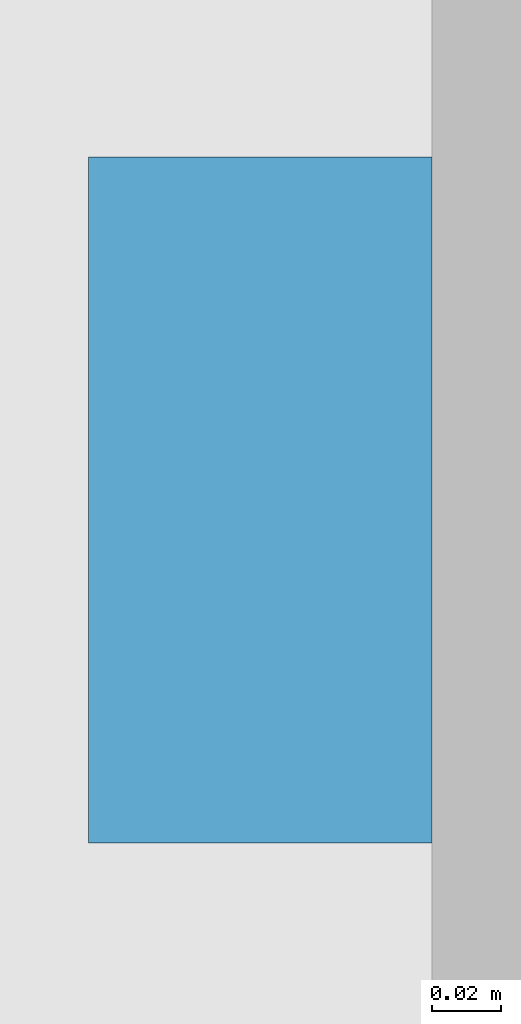
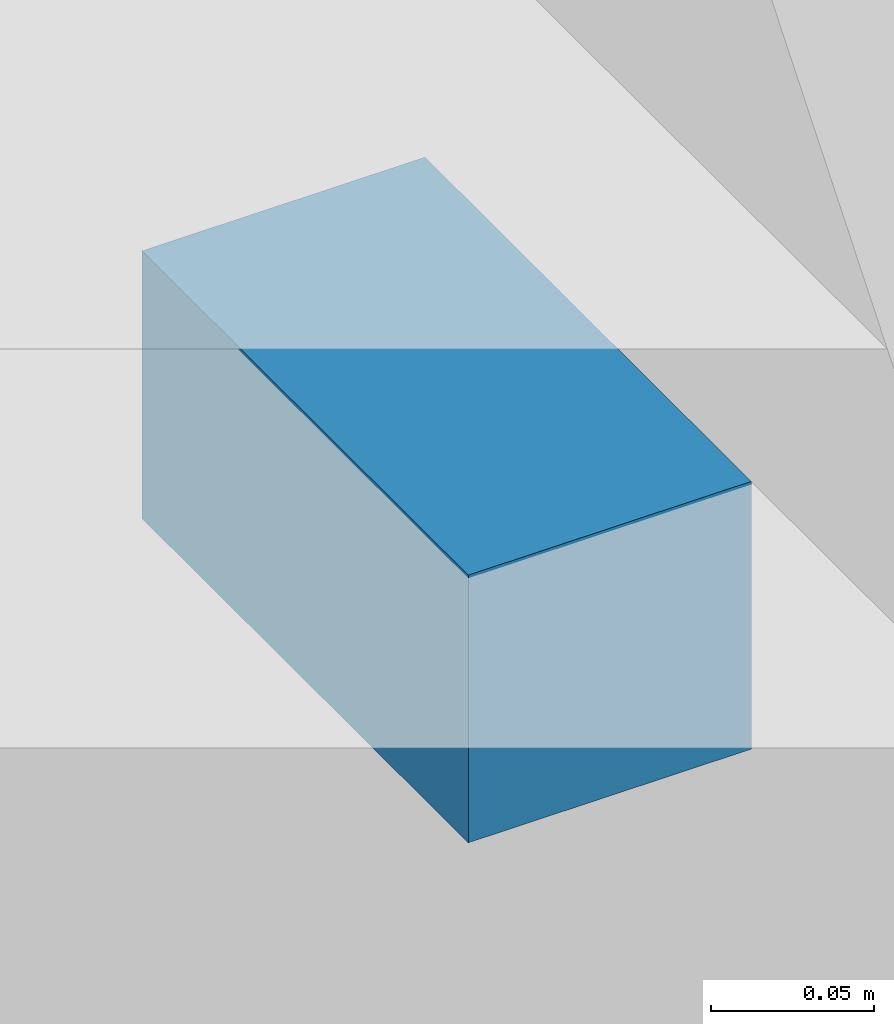
# One storey, part 15 of 17: 1 discrete accessory.
"""IFC4 building model written with IfcOpenShell, lengths in metres."""

from ifc_helpers import new_model, si_unit, direction, frame, origin, origin_2d, place, context, subcontext, project, spatial, rectangle, extrude, element, save


model = new_model("IFC4")

# Units and contexts
model_context = context("Model", 3, precision=1e-05, world=origin(), true_north=direction((0.0, 1.0)))
body_context = subcontext(model_context, "Body", "Model", "MODEL_VIEW")
ifc_project = project(units=[si_unit("LENGTHUNIT", "METRE"), si_unit("AREAUNIT", "SQUARE_METRE"), si_unit("VOLUMEUNIT", "CUBIC_METRE"), si_unit("PLANEANGLEUNIT", "RADIAN"), si_unit("MASSUNIT", "GRAM", prefix="KILO")], contexts=[model_context])

# Site, building, storey
site_placement = place(None, origin())
site = spatial("IfcSite", under=ifc_project, at=site_placement, CompositionType="ELEMENT")
building_placement = place(site_placement, origin())
building = spatial("IfcBuilding", under=site, at=building_placement, Name="Calvaro Tower", CompositionType="ELEMENT")
storey_placement = place(building_placement, frame((0.0, 0.0, 208.0)))
storey = spatial("IfcBuildingStorey", under=building, at=storey_placement, Name="L52", CompositionType="ELEMENT", Elevation=208.0)

# Discrete accessory
discrete_accessory_placement = place(storey_placement, frame((65.5, 3.60009765625, 2.349853515625), z_axis=(0.0, 0.0, 1.0), x_axis=(1.0, 0.0, 0.0)))
element("IfcDiscreteAccessory", 1, at=discrete_accessory_placement, inside=storey, Name="Brise-soleil bracket", PredefinedType="BRACKET", context=body_context, shape_type="SweptSolid", body=[
    extrude(rectangle(XDim=0.10009765625, YDim=0.199951171875, at=origin_2d()), origin(), (0.0, 0.0, 1.0), 0.10009765625),
])

save(model, "model.ifc")
